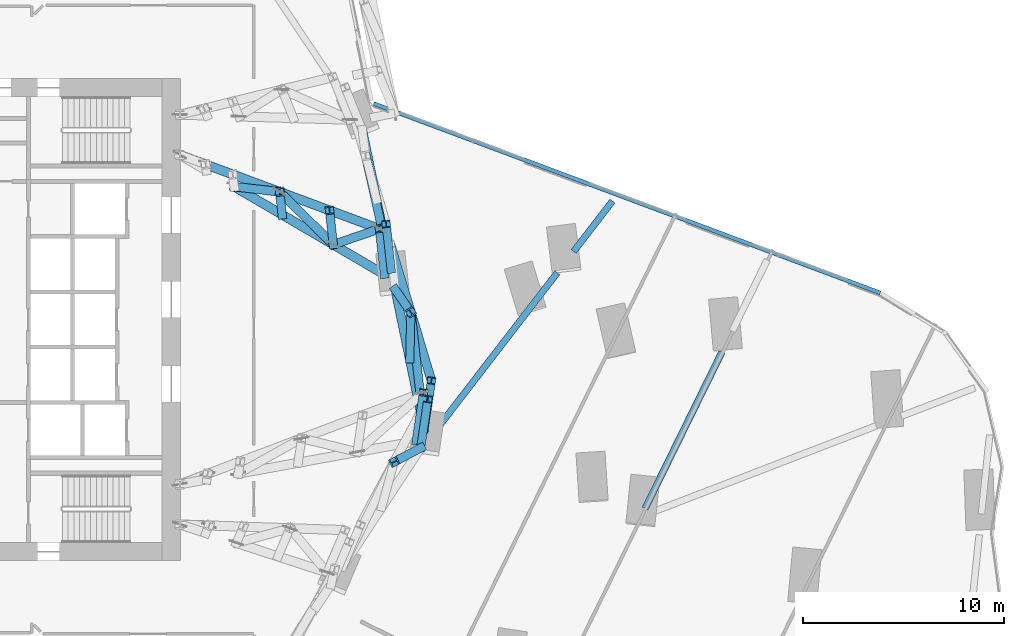
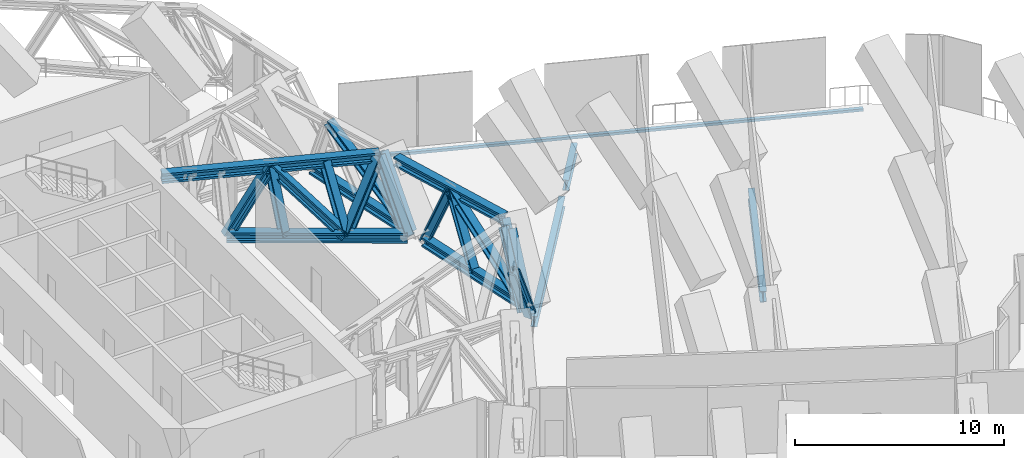
# One storey, part 11 of 34: 21 members, 3 beams, 1 element without a shape of its own.
"""IFC4 building model written with IfcOpenShell, lengths in metres."""

from ifc_helpers import new_model, si_unit, direction, frame, origin, origin_2d, place, context, subcontext, project, spatial, rectangle, i_section, extrude, material, material_profile, profile_set, type_object, element, aggregate, save


model = new_model("IFC4")

# Units and contexts
model_context = context("Model", 3, precision=1e-05, world=origin(), true_north=direction((0.0, 1.0)))
body_context = subcontext(model_context, "Body", "Model", "MODEL_VIEW")
ifc_project = project(units=[si_unit("LENGTHUNIT", "METRE"), si_unit("AREAUNIT", "SQUARE_METRE"), si_unit("VOLUMEUNIT", "CUBIC_METRE"), si_unit("PLANEANGLEUNIT", "RADIAN"), si_unit("MASSUNIT", "GRAM", prefix="KILO")], contexts=[model_context])

# Site, building, storey
site_placement = place(None, origin())
site = spatial("IfcSite", under=ifc_project, at=site_placement, CompositionType="ELEMENT")
building_placement = place(site_placement, origin())
building = spatial("IfcBuilding", under=site, at=building_placement, Name="Orlundy Tower", CompositionType="ELEMENT")
storey_placement = place(building_placement, frame((0.0, 0.0, 76.300048828125)))
storey = spatial("IfcBuildingStorey", under=building, at=storey_placement, Name="L18", CompositionType="ELEMENT", Elevation=76.300048828125)

# Members
ifc_material_1 = material(Name="Steel ASTM A992 Gr 50", Category="steel")
ifc_material_profile_1 = material_profile(ifc_material_1, i_section(OverallWidth=0.4423828125, OverallDepth=0.531494140625, WebThickness=0.06591796875, FlangeThickness=0.105712890625, at=origin_2d()), Name="W14X605")
ifc_profile_set_1 = profile_set([ifc_material_profile_1], Name="Steel ASTM A992 Gr 50")
member_type_1 = type_object("IfcMemberType", Name="BELT TRUSS chord W14X605", PredefinedType="CHORD", material=ifc_profile_set_1)
member_1_placement = place(storey_placement, frame((31.146484375, -5.464599609375, 0.28466796875), z_axis=(-0.202848892572, 0.979210052431, 0.0), x_axis=(-0.979210052431, -0.202848892572, 0.0)))
element("IfcMember", 1, at=member_1_placement, inside=storey, type_object=member_type_1, Name="Belt truss bottom chord BT-12", PredefinedType="CHORD", context=body_context, shape_type="SweptSolid", body=[
    extrude(i_section(OverallWidth=0.4423828125, OverallDepth=0.531494140625, WebThickness=0.06591796875, FlangeThickness=0.105712890625, at=origin_2d()), origin(), (0.0, 0.0, 1.0), 7.10107421875),
])
member_2_placement = place(storey_placement, frame((31.502197265625, -3.03759765625, 3.715087890625), z_axis=(-0.288237104988, 0.957559069357, 0.0), x_axis=(-0.957559069357, -0.288237104988, 0.0)))
element("IfcMember", 2, at=member_2_placement, inside=storey, type_object=member_type_1, Name="Belt truss top chord BT-12", PredefinedType="CHORD", context=body_context, shape_type="SweptSolid", body=[
    extrude(i_section(OverallWidth=0.4423828125, OverallDepth=0.531494140625, WebThickness=0.06591796875, FlangeThickness=0.105712890625, at=origin_2d()), origin(), (0.0, 0.0, 1.0), 7.102294921875),
])
member_3_placement = place(storey_placement, frame((29.500244140625, 2.482666015625, 0.28466796875), z_axis=(-0.20268972428, 0.979243011551, 0.0), x_axis=(-0.979243011551, -0.20268972428, 0.0)))
element("IfcMember", 3, at=member_3_placement, inside=storey, type_object=member_type_1, Name="Belt truss bottom chord BT-13", PredefinedType="CHORD", context=body_context, shape_type="SweptSolid", body=[
    extrude(i_section(OverallWidth=0.4423828125, OverallDepth=0.531494140625, WebThickness=0.06591796875, FlangeThickness=0.105712890625, at=origin_2d()), origin(), (0.0, 0.0, 1.0), 7.101806640625),
])
ifc_material_2 = material(Name="Steel ASTM A992 Gr 50", Category="steel")
ifc_material_profile_2 = material_profile(ifc_material_2, i_section(OverallWidth=0.42431640625, OverallDepth=0.47412109375, WebThickness=0.0478515625, FlangeThickness=0.0771484375, at=origin_2d()), Name="W14X426")
ifc_profile_set_2 = profile_set([ifc_material_profile_2], Name="Steel ASTM A992 Gr 50")
member_type_2 = type_object("IfcMemberType", Name="BELT TRUSS diagonal W14X426", PredefinedType="BRACE", material=ifc_profile_set_2)
member_4_placement = place(storey_placement, frame((29.6455078125, -7.08642578125, 3.715087890625), z_axis=(0.35404230594, 0.187161801077, -0.916310267225), x_axis=(-0.467356419026, 0.884068989161, 0.0)))
element("IfcMember", 4, at=member_4_placement, inside=storey, type_object=member_type_2, Name="Belt truss diagonal BT-11-1", PredefinedType="BRACE", context=body_context, shape_type="SweptSolid", body=[
    extrude(i_section(OverallWidth=0.42431640625, OverallDepth=0.47412109375, WebThickness=0.0478515625, FlangeThickness=0.0771484375, at=origin_2d()), origin(), (0.0, 0.0, 1.0), 3.74365234375),
])
member_5_placement = place(storey_placement, frame((31.146484375, -5.464599609375, 0.28466796875), z_axis=(-0.09830250924, 0.857595976993, 0.504842308967), x_axis=(-0.993494515597, -0.113879969612, 0.0)))
element("IfcMember", 5, at=member_5_placement, inside=storey, type_object=member_type_2, Name="Belt truss diagonal BT-12-0", PredefinedType="BRACE", context=body_context, shape_type="SweptSolid", body=[
    extrude(i_section(OverallWidth=0.42431640625, OverallDepth=0.47412109375, WebThickness=0.0478515625, FlangeThickness=0.0771484375, at=origin_2d()), origin(), (0.0, 0.0, 1.0), 6.794921875),
])
member_6_placement = place(storey_placement, frame((30.478515625, 0.36279296875, 3.715087890625), z_axis=(-0.20921458635, 0.304961337625, -0.929100553983), x_axis=(-0.824604935992, -0.565709023738, 0.0)))
element("IfcMember", 6, at=member_6_placement, inside=storey, type_object=member_type_2, Name="Belt truss diagonal BT-12-1", PredefinedType="BRACE", context=body_context, shape_type="SweptSolid", body=[
    extrude(i_section(OverallWidth=0.42431640625, OverallDepth=0.47412109375, WebThickness=0.0478515625, FlangeThickness=0.0771484375, at=origin_2d()), origin(), (0.0, 0.0, 1.0), 3.692138671875),
])
member_7_placement = place(storey_placement, frame((29.500244140625, 2.482666015625, 0.28466796875), z_axis=(-0.188699251208, 0.840414906129, 0.508030883067), x_axis=(-0.975707646273, -0.219076673804, 0.0)))
element("IfcMember", 7, at=member_7_placement, inside=storey, type_object=member_type_2, Name="Belt truss diagonal BT-13-0", PredefinedType="BRACE", context=body_context, shape_type="SweptSolid", body=[
    extrude(i_section(OverallWidth=0.42431640625, OverallDepth=0.47412109375, WebThickness=0.0478515625, FlangeThickness=0.0771484375, at=origin_2d()), origin(), (0.0, 0.0, 1.0), 6.75244140625),
])
ifc_material_3 = material(Name="Steel ASTM A992 Gr 50", Category="steel")
ifc_material_profile_3 = material_profile(ifc_material_3, i_section(OverallWidth=0.412109375, OverallDepth=0.434814453125, WebThickness=0.035888671875, FlangeThickness=0.057373046875, at=origin_2d()), Name="W14X311")
ifc_profile_set_3 = profile_set([ifc_material_profile_3], Name="Steel ASTM A992 Gr 50")
member_type_3 = type_object("IfcMemberType", Name="BELT TRUSS post W14X311", PredefinedType="POST", material=ifc_profile_set_3)
for number, where, z_axis, x_axis, name in (
    (8, (30.970947265625, -6.3857421875, 0.28466796875), (0.084288127113, 0.575544340493, 0.81341516076), (-0.98944575648, 0.144903743858, 0.0), "Belt truss post BT-11-2"),
    (9, (31.146484375, -5.464599609375, 0.28466796875), (0.084348415839, 0.575502815278, 0.813438291668), (-0.989429390252, 0.145015453334, 0.0), "Belt truss post BT-12-0"),
):
    element("IfcMember", number, at=place(storey_placement, frame(where, z_axis=z_axis, x_axis=x_axis)), inside=storey, type_object=member_type_3, Name=name, PredefinedType="POST", context=body_context, shape_type="SweptSolid", body=[
        extrude(i_section(OverallWidth=0.412109375, OverallDepth=0.434814453125, WebThickness=0.035888671875, FlangeThickness=0.057373046875, at=origin_2d()), origin(), (0.0, 0.0, 1.0), 4.21728515625),
    ])
member_8_placement = place(storey_placement, frame((30.42626953125, -1.98779296875, 0.28466796875), z_axis=(0.012562727533, 0.565205330327, 0.824854600792), x_axis=(-0.999753075315, 0.022221350033, 0.0)))
element("IfcMember", 10, at=member_8_placement, inside=storey, type_object=member_type_3, Name="Belt truss post BT-12-1", PredefinedType="POST", context=body_context, shape_type="SweptSolid", body=[
    extrude(i_section(OverallWidth=0.412109375, OverallDepth=0.434814453125, WebThickness=0.035888671875, FlangeThickness=0.057373046875, at=origin_2d()), origin(), (0.0, 0.0, 1.0), 4.158935546875),
])
member_9_placement = place(storey_placement, frame((29.500244140625, 2.482666015625, 0.28466796875), z_axis=(-0.060864081742, 0.551565939214, 0.831907794321), x_axis=(-0.993966725917, -0.109682030297, 0.0)))
element("IfcMember", 11, at=member_9_placement, inside=storey, type_object=member_type_3, Name="Belt truss post BT-13-0", PredefinedType="POST", context=body_context, shape_type="SweptSolid", body=[
    extrude(i_section(OverallWidth=0.412109375, OverallDepth=0.434814453125, WebThickness=0.035888671875, FlangeThickness=0.057373046875, at=origin_2d()), origin(), (0.0, 0.0, 1.0), 4.12353515625),
])

# Beams
ifc_material_4 = material(Name="Steel ASTM A992 Gr 50", Category="steel")
ifc_material_profile_4 = material_profile(ifc_material_4, i_section(OverallWidth=0.32373046875, OverallDepth=0.611083984375, WebThickness=0.0126953125, FlangeThickness=0.01904296875, at=origin_2d()), Name="W24X104")
ifc_profile_set_4 = profile_set([ifc_material_profile_4], Name="Steel ASTM A992 Gr 50")
beam_type_1 = type_object("IfcBeamType", Name="CANTILEVER GIRDER beam W24X104", PredefinedType="BEAM", material=ifc_profile_set_4)
beam_1_placement = place(storey_placement, frame((40.514892578125, 5.89794921875, -0.755615234375), z_axis=(-0.610391183876, -0.792100121605, 0.0), x_axis=(0.792100121605, -0.610391183876, 0.0)))
element("IfcBeam", 12, at=beam_1_placement, inside=storey, type_object=beam_type_1, Name="Cantilever girder C-A5-1 L18", PredefinedType="BEAM", context=body_context, shape_type="SweptSolid", body=[
    extrude(i_section(OverallWidth=0.32373046875, OverallDepth=0.611083984375, WebThickness=0.0126953125, FlangeThickness=0.01904296875, at=origin_2d()), origin(), (0.0, 0.0, 1.0), 3.172119140625),
])
beam_2_placement = place(storey_placement, frame((37.767333984375, 2.332763671875, -0.755615234375), z_axis=(-0.61042311973, -0.792075510856, 0.0), x_axis=(0.792075510856, -0.61042311973, 0.0)))
element("IfcBeam", 13, at=beam_2_placement, inside=storey, type_object=beam_type_1, Name="Back-span girder C-A5-1 L18", PredefinedType="BEAM", context=body_context, shape_type="SweptSolid", body=[
    extrude(i_section(OverallWidth=0.32373046875, OverallDepth=0.611083984375, WebThickness=0.0126953125, FlangeThickness=0.01904296875, at=origin_2d()), origin(), (0.0, 0.0, 1.0), 10.166015625),
])
ifc_material_5 = material(Name="Steel ASTM A992 Gr 50", Category="steel")
ifc_material_profile_5 = material_profile(ifc_material_5, i_section(OverallWidth=0.3291015625, OverallDepth=0.635009765625, WebThickness=0.017822265625, FlangeThickness=0.031005859375, at=origin_2d()), Name="W24X162")
ifc_profile_set_5 = profile_set([ifc_material_profile_5], Name="Steel ASTM A992 Gr 50")
beam_type_2 = type_object("IfcBeamType", Name="CANTILEVER GIRDER beam W24X162", PredefinedType="BEAM", material=ifc_profile_set_5)
beam_3_placement = place(storey_placement, frame((45.964111328125, -1.6181640625, -0.767578125), z_axis=(-0.441047026493, -0.897483994521, 0.0), x_axis=(0.897483994521, -0.441047026493, 0.0)))
element("IfcBeam", 14, at=beam_3_placement, inside=storey, type_object=beam_type_2, Name="Back-span girder C-A5-2 L18", PredefinedType="BEAM", context=body_context, shape_type="SweptSolid", body=[
    extrude(i_section(OverallWidth=0.3291015625, OverallDepth=0.635009765625, WebThickness=0.017822265625, FlangeThickness=0.031005859375, at=origin_2d()), origin(), (0.0, 0.0, 1.0), 8.677490234375),
])

# Curtain wall, member
ifc_material_6 = material(Name="Aluminium bronze anodised", Category="aluminium")
curtain_wall_type = type_object("IfcCurtainWallType", Name="CW4 wall", PredefinedType="NOTDEFINED", material=ifc_material_6)
curtain_wall_placement = place(storey_placement, origin())
curtain_wall = element("IfcCurtainWall", 15, at=curtain_wall_placement, inside=storey, type_object=curtain_wall_type, Name="CW4 run 015", PredefinedType="NOTDEFINED")
ifc_material_7 = material(Name="Aluminium bronze anodised", Category="aluminium")
ifc_material_profile_6 = material_profile(ifc_material_7, rectangle(XDim=0.199951171875, YDim=0.14990234375, at=origin_2d()), Name="CW4 transom 200x150")
ifc_profile_set_6 = profile_set([ifc_material_profile_6], Name="Aluminium bronze anodised")
member_type_4 = type_object("IfcMemberType", Name="CW4 transom 200x150", PredefinedType="USERDEFINED", material=ifc_profile_set_6)
member_10_placement = place(storey_placement, frame((28.6298828125, 10.754150390625, -0.375), z_axis=(0.936678188418, -0.350191335334, 0.0), x_axis=(0.350191335334, 0.936678188418, 0.0)))
member_10 = element("IfcMember", 16, at=member_10_placement, type_object=member_type_4, Name="CW4 transom", ObjectType="TRANSOM", PredefinedType="USERDEFINED", context=body_context, shape_type="SweptSolid", body=[
    extrude(rectangle(XDim=0.199951171875, YDim=0.14990234375, at=origin_2d()), origin(), (0.0, 0.0, 1.0), 26.929443359375),
])
aggregate(curtain_wall, [member_10])

# Members
ifc_material_8 = material(Name="Steel ASTM A992 Gr 50", Category="steel")
ifc_material_profile_7 = material_profile(ifc_material_8, i_section(OverallWidth=0.454345703125, OverallDepth=0.569580078125, WebThickness=0.077880859375, FlangeThickness=0.124755859375, at=origin_2d()), Name="W14X730")
ifc_profile_set_7 = profile_set([ifc_material_profile_7], Name="Steel ASTM A992 Gr 50")
member_type_5 = type_object("IfcMemberType", Name="OUTRIGGER TRUSS chord W14X730", PredefinedType="CHORD", material=ifc_profile_set_7)
member_11_placement = place(storey_placement, frame((21.679931640625, 6.62060546875, 0.28466796875), z_axis=(0.863158432563, -0.504933183992, 0.0), x_axis=(0.504933183992, 0.863158432563, 0.0)))
element("IfcMember", 17, at=member_11_placement, inside=storey, type_object=member_type_5, Name="Outrigger truss bottom chord OR-E-C-H032", PredefinedType="CHORD", context=body_context, shape_type="SweptSolid", body=[
    extrude(i_section(OverallWidth=0.454345703125, OverallDepth=0.569580078125, WebThickness=0.077880859375, FlangeThickness=0.124755859375, at=origin_2d()), origin(), (0.0, 0.0, 1.0), 8.671875),
])
member_12_placement = place(storey_placement, frame((18.97998046875, 8.199951171875, 3.715087890625), z_axis=(0.937616383517, -0.34767156536, 0.0), x_axis=(0.34767156536, 0.937616383517, 0.0)))
element("IfcMember", 18, at=member_12_placement, inside=storey, type_object=member_type_5, Name="Outrigger truss top chord OR-E-C-H03", PredefinedType="CHORD", context=body_context, shape_type="SweptSolid", body=[
    extrude(i_section(OverallWidth=0.454345703125, OverallDepth=0.569580078125, WebThickness=0.077880859375, FlangeThickness=0.124755859375, at=origin_2d()), origin(), (0.0, 0.0, 1.0), 10.594970703125),
])
ifc_material_9 = material(Name="Steel ASTM A992 Gr 50", Category="steel")
ifc_material_profile_8 = material_profile(ifc_material_9, i_section(OverallWidth=0.43212890625, OverallDepth=0.497802734375, WebThickness=0.0556640625, FlangeThickness=0.0888671875, at=origin_2d()), Name="W14X500")
ifc_profile_set_8 = profile_set([ifc_material_profile_8], Name="Steel ASTM A992 Gr 50")
member_type_6 = type_object("IfcMemberType", Name="OUTRIGGER TRUSS diagonal W14X500", PredefinedType="BRACE", material=ifc_profile_set_8)
member_13_placement = place(storey_placement, frame((21.679931640625, 6.62060546875, 0.28466796875), z_axis=(0.550232794328, -0.063698067403, 0.832578181467), x_axis=(0.114997651921, 0.993365763479, 0.0)))
element("IfcMember", 19, at=member_13_placement, inside=storey, type_object=member_type_6, Name="Outrigger truss diagonal OR-E-C-H03-2", PredefinedType="BRACE", context=body_context, shape_type="SweptSolid", body=[
    extrude(i_section(OverallWidth=0.43212890625, OverallDepth=0.497802734375, WebThickness=0.0556640625, FlangeThickness=0.0888671875, at=origin_2d()), origin(), (0.0, 0.0, 1.0), 4.1201171875),
])
member_14_placement = place(storey_placement, frame((23.947021484375, 6.358154296875, 3.715087890625), z_axis=(0.525960695857, -0.517069730147, -0.675280860516), x_axis=(0.701053815457, 0.713108370329, 0.0)))
element("IfcMember", 20, at=member_14_placement, inside=storey, type_object=member_type_6, Name="Outrigger truss diagonal OR-E-C-H03-3", PredefinedType="BRACE", context=body_context, shape_type="SweptSolid", body=[
    extrude(i_section(OverallWidth=0.43212890625, OverallDepth=0.497802734375, WebThickness=0.0556640625, FlangeThickness=0.0888671875, at=origin_2d()), origin(), (0.0, 0.0, 1.0), 5.080078125),
])
member_15_placement = place(storey_placement, frame((26.618896484375, 3.7314453125, 0.28466796875), z_axis=(0.546287660289, 0.186822128266, 0.816496959337), x_axis=(-0.32358571807, 0.946198860209, 0.0)))
element("IfcMember", 21, at=member_15_placement, inside=storey, type_object=member_type_6, Name="Outrigger truss diagonal OR-E-C-H03-4", PredefinedType="BRACE", context=body_context, shape_type="SweptSolid", body=[
    extrude(i_section(OverallWidth=0.43212890625, OverallDepth=0.497802734375, WebThickness=0.0556640625, FlangeThickness=0.0888671875, at=origin_2d()), origin(), (0.0, 0.0, 1.0), 4.201416015625),
])
ifc_material_10 = material(Name="Steel ASTM A992 Gr 50", Category="steel")
ifc_material_profile_9 = material_profile(ifc_material_10, i_section(OverallWidth=0.41845703125, OverallDepth=0.455078125, WebThickness=0.0419921875, FlangeThickness=0.067626953125, at=origin_2d()), Name="W14X370")
ifc_profile_set_9 = profile_set([ifc_material_profile_9], Name="Steel ASTM A992 Gr 50")
member_type_7 = type_object("IfcMemberType", Name="OUTRIGGER TRUSS post W14X370", PredefinedType="POST", material=ifc_profile_set_9)
member_16_placement = place(storey_placement, frame((30.750244140625, -6.052490234375, 0.28466796875), z_axis=(0.084290935456, 0.575505624564, 0.813442262423), x_axis=(-0.989443666502, 0.144918014126, 0.0)))
element("IfcMember", 22, at=member_16_placement, inside=storey, type_object=member_type_7, Name="Outrigger truss post OR-E-C-H04-5", PredefinedType="POST", context=body_context, shape_type="SweptSolid", body=[
    extrude(i_section(OverallWidth=0.41845703125, OverallDepth=0.455078125, WebThickness=0.0419921875, FlangeThickness=0.067626953125, at=origin_2d()), origin(), (0.0, 0.0, 1.0), 4.21728515625),
])
member_17_placement = place(storey_placement, frame((24.072509765625, 5.220947265625, 0.28466796875), z_axis=(-0.034701876666, 0.314477318117, 0.948630484512), x_axis=(-0.993966725917, -0.109682030297, 0.0)))
element("IfcMember", 23, at=member_17_placement, inside=storey, type_object=member_type_7, Name="Outrigger truss post OR-E-C-H03-3", PredefinedType="POST", context=body_context, shape_type="SweptSolid", body=[
    extrude(i_section(OverallWidth=0.41845703125, OverallDepth=0.455078125, WebThickness=0.0419921875, FlangeThickness=0.067626953125, at=origin_2d()), origin(), (0.0, 0.0, 1.0), 3.6162109375),
])
member_18_placement = place(storey_placement, frame((26.618896484375, 3.7314453125, 0.28466796875), z_axis=(-0.049136627961, 0.444711942438, 0.894324817975), x_axis=(-0.993951207057, -0.109822575046, 0.0)))
element("IfcMember", 24, at=member_18_placement, inside=storey, type_object=member_type_7, Name="Outrigger truss post OR-E-C-H03-4", PredefinedType="POST", context=body_context, shape_type="SweptSolid", body=[
    extrude(i_section(OverallWidth=0.41845703125, OverallDepth=0.455078125, WebThickness=0.0419921875, FlangeThickness=0.067626953125, at=origin_2d()), origin(), (0.0, 0.0, 1.0), 3.835693359375),
])
member_19_placement = place(storey_placement, frame((29.1650390625, 2.241943359375, 0.28466796875), z_axis=(-0.060864081742, 0.551565939214, 0.831907794321), x_axis=(-0.993966725917, -0.109682030297, 0.0)))
element("IfcMember", 25, at=member_19_placement, inside=storey, type_object=member_type_7, Name="Outrigger truss post OR-E-C-H03-5", PredefinedType="POST", context=body_context, shape_type="SweptSolid", body=[
    extrude(i_section(OverallWidth=0.41845703125, OverallDepth=0.455078125, WebThickness=0.0419921875, FlangeThickness=0.067626953125, at=origin_2d()), origin(), (0.0, 0.0, 1.0), 4.12353515625),
])

save(model, "model.ifc")
